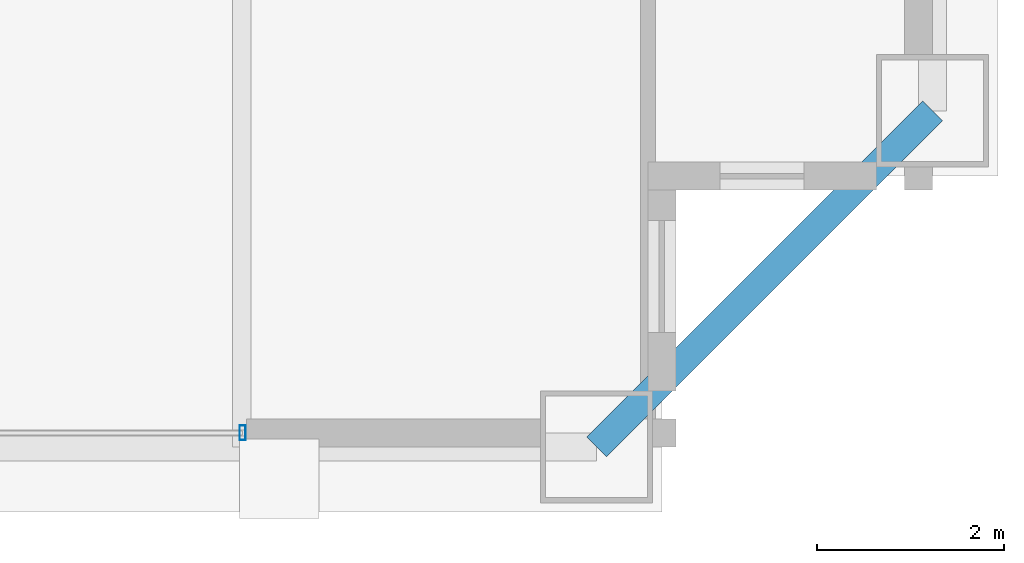
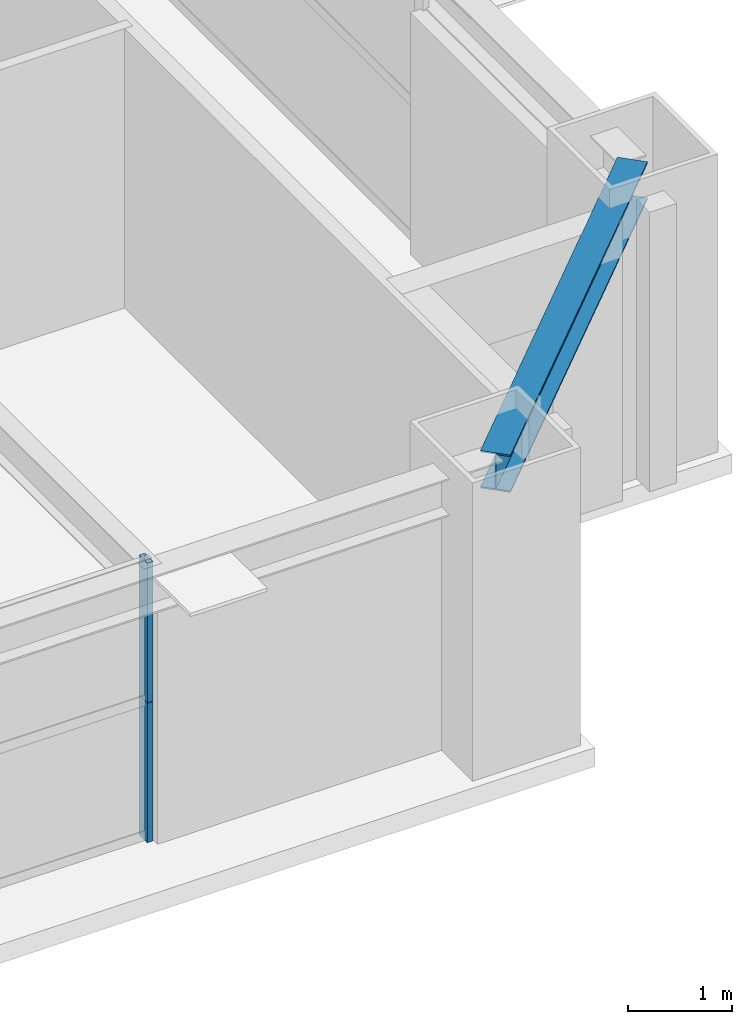
# One storey, part 15 of 36: 2 members, 1 beam, 1 element without a shape of its own.
"""IFC4 building model written with IfcOpenShell, lengths in metres."""

import ifcopenshell
import ifcopenshell.guid

model = None  # the IFC model being written
_history = None  # IfcOwnerHistory: only IFC2X3 demands one
_inside = {}  # id of a spatial element -> (the spatial element, [elements in it])
_under = {}  # id of a project, library or spatial element -> (it, [spatial elements below it])
_declared = {}  # id of a project -> (the project, [libraries it declares])
_typed = {}  # id of a type object -> (the type object, [elements of that type])
_made_of = {}  # id of a material, layer set ... -> (it, [elements and type objects made of it])


def new_model(schema):
    """Start an empty IFC model of exactly this schema.

    Asked for "IFC4X3", IfcOpenShell would pick the latest addendum, in which some entities
    have other attributes; the version numbers below select the first issue.
    IFC2X3 requires an IfcOwnerHistory on every rooted entity: one is made here for all.
    """
    global model, _history
    if schema == "IFC4X3":
        model = ifcopenshell.file(schema_version=(4, 3, 0, 0))
    else:
        model = ifcopenshell.file(schema=schema)
    _inside.clear()
    _under.clear()
    _declared.clear()
    _typed.clear()
    _made_of.clear()
    _history = None
    if model.schema == "IFC2X3":
        org = make("IfcOrganization", Name="unknown")
        user = make(
            "IfcPersonAndOrganization",
            ThePerson=make("IfcPerson", FamilyName="unknown"),
            TheOrganization=org,
        )
        app = make(
            "IfcApplication",
            ApplicationDeveloper=org,
            Version="unknown",
            ApplicationFullName="unknown",
            ApplicationIdentifier="unknown",
        )
        _history = make(
            "IfcOwnerHistory",
            OwningUser=user,
            OwningApplication=app,
            ChangeAction="ADDED",
            CreationDate=0,
        )
    return model


def make(cls, **values):
    """One entity of the class cls with the attributes given. An attribute that is None is left unset."""
    return model.create_entity(
        cls, **{name: value for name, value in values.items() if value is not None}
    )


def rooted(cls, **values):
    """An entity with a GlobalId (a new one), such as an element, a storey or a relation."""
    return make(cls, GlobalId=ifcopenshell.guid.new(), OwnerHistory=_history, **values)


def si_unit(unit_type, name, prefix=None):
    """IfcSIUnit, for example si_unit("LENGTHUNIT", "METRE", prefix="MILLI")."""
    return make("IfcSIUnit", UnitType=unit_type, Prefix=prefix, Name=name)


def assignment(units):
    """IfcUnitAssignment: the units of a project."""
    return None if units is None else make("IfcUnitAssignment", Units=units)


def point(xyz):
    """IfcCartesianPoint."""
    return None if xyz is None else make("IfcCartesianPoint", Coordinates=xyz)


def direction(xyz):
    """IfcDirection."""
    return None if xyz is None else make("IfcDirection", DirectionRatios=xyz)


def frame(location, z_axis=None, x_axis=None):
    """IfcAxis2Placement3D, a coordinate frame: its origin and axes. An axis left out is left unset."""
    return make(
        "IfcAxis2Placement3D",
        Location=point(location),
        Axis=direction(z_axis),
        RefDirection=direction(x_axis),
    )


def frame_2d(location, x_axis=None):
    """IfcAxis2Placement2D, a coordinate frame in the plane: its origin and x axis."""
    return make(
        "IfcAxis2Placement2D", Location=point(location), RefDirection=direction(x_axis)
    )


def origin():
    """The frame at (0, 0, 0) with its axes left unset."""
    return frame((0.0, 0.0, 0.0))


def origin_2d():
    """The frame at (0, 0) in the plane with its x axis left unset."""
    return frame_2d((0.0, 0.0))


def place(relative_to, where):
    """IfcLocalPlacement: puts the frame where relative to a parent placement (None: the world)."""
    return make(
        "IfcLocalPlacement", PlacementRelTo=relative_to, RelativePlacement=where
    )


def context(
    kind, dimensions, precision=None, world=None, true_north=None, identifier=None
):
    """IfcGeometricRepresentationContext, for example the 3D "Model" context."""
    return make(
        "IfcGeometricRepresentationContext",
        ContextIdentifier=identifier,
        ContextType=kind,
        CoordinateSpaceDimension=dimensions,
        Precision=precision,
        WorldCoordinateSystem=world,
        TrueNorth=true_north,
    )


def subcontext(parent, identifier, kind, view, scale=None):
    """IfcGeometricRepresentationSubContext, for example "Body" below "Model"."""
    return make(
        "IfcGeometricRepresentationSubContext",
        ContextIdentifier=identifier,
        ContextType=kind,
        ParentContext=parent,
        TargetScale=scale,
        TargetView=view,
    )


def project(units=None, contexts=None):
    """IfcProject with its units and contexts."""
    return rooted(
        "IfcProject",
        Name="project",
        RepresentationContexts=contexts,
        UnitsInContext=assignment(units),
    )


def spatial(cls, under=None, at=None, **own):
    """A site, building, storey or space (cls), placed at a placement, below another one or the project."""
    s = rooted(cls, ObjectPlacement=at, **own)
    if under is not None:
        _under.setdefault(under.id(), (under, []))[1].append(s)
    return s


def profile(cls, at=None, kind="AREA", **sizes):
    """A parametric profile (cls). Its sizes go by their IFC names, for example OverallWidth=200.0."""
    return make(cls, ProfileType=kind, Position=at, **sizes)


def hollow_rectangle(**sizes):
    """IfcRectangleHollowProfileDef."""
    return profile("IfcRectangleHollowProfileDef", **sizes)


def i_section(**sizes):
    """IfcIShapeProfileDef."""
    return profile("IfcIShapeProfileDef", **sizes)


def extrude(swept, where, along, depth):
    """IfcExtrudedAreaSolid: the profile swept, set in the frame where, extruded along a direction by depth."""
    return make(
        "IfcExtrudedAreaSolid",
        SweptArea=swept,
        Position=where,
        ExtrudedDirection=direction(along),
        Depth=depth,
    )


def shape(context_of_items, identifier, shape_type, items):
    """IfcShapeRepresentation: the items that make up one representation, for example the "Body"."""
    return make(
        "IfcShapeRepresentation",
        ContextOfItems=context_of_items,
        RepresentationIdentifier=identifier,
        RepresentationType=shape_type,
        Items=items,
    )


def source(mapping_origin, context_of_items, identifier, shape_type, items):
    """IfcRepresentationMap: a shape defined once, which mapped items show again and again."""
    return make(
        "IfcRepresentationMap",
        MappingOrigin=mapping_origin,
        MappedRepresentation=shape(context_of_items, identifier, shape_type, items),
    )


def transform(
    local_origin,
    x_axis=None,
    y_axis=None,
    z_axis=None,
    scale=None,
    scale2=None,
    scale3=None,
    uniform=True,
):
    """IfcCartesianTransformationOperator3D, or its non-uniform kind. x_axis, y_axis, z_axis: its Axis1, 2, 3."""
    if uniform:
        return make(
            "IfcCartesianTransformationOperator3D",
            Axis1=direction(x_axis),
            Axis2=direction(y_axis),
            LocalOrigin=point(local_origin),
            Scale=scale,
            Axis3=direction(z_axis),
        )
    return make(
        "IfcCartesianTransformationOperator3DnonUniform",
        Axis1=direction(x_axis),
        Axis2=direction(y_axis),
        LocalOrigin=point(local_origin),
        Scale=scale,
        Axis3=direction(z_axis),
        Scale2=scale2,
        Scale3=scale3,
    )


def mapped(mapping_source, mapping_target):
    """IfcMappedItem: shows the shape of a source again, moved by a transform."""
    return make(
        "IfcMappedItem", MappingSource=mapping_source, MappingTarget=mapping_target
    )


def material(Name=None, Category=None):
    """IfcMaterial."""
    return make("IfcMaterial", Name=Name, Category=Category)


def layer(
    of_material, thickness, ventilated=None, Name=None, Category=None, Priority=None
):
    """IfcMaterialLayer: one layer of a wall or slab, of a material (None: an air gap)."""
    return make(
        "IfcMaterialLayer",
        Material=of_material,
        LayerThickness=thickness,
        IsVentilated=ventilated,
        Name=Name,
        Category=Category,
        Priority=Priority,
    )


def layer_set(layers, Name=None):
    """IfcMaterialLayerSet."""
    return make("IfcMaterialLayerSet", MaterialLayers=layers, LayerSetName=Name)


def material_profile(
    of_material, cross_section, Name=None, Category=None, Priority=None
):
    """IfcMaterialProfile: a cross section and its material."""
    return make(
        "IfcMaterialProfile",
        Name=Name,
        Material=of_material,
        Profile=cross_section,
        Priority=Priority,
        Category=Category,
    )


def profile_set(profiles, Name=None, composite=None):
    """IfcMaterialProfileSet."""
    return make(
        "IfcMaterialProfileSet",
        Name=Name,
        MaterialProfiles=profiles,
        CompositeProfile=composite,
    )


def made_of(thing, what):
    """Note that an element or type object is made of a material, layer set ...; save() writes the relation."""
    if what is not None:
        _made_of.setdefault(what.id(), (what, []))[1].append(thing)
    return thing


def type_object(cls, material=None, **own):
    """A type object (cls), such as IfcWallType, which elements share."""
    return made_of(rooted(cls, **own), material)


def element(
    cls,
    number,
    at=None,
    inside=None,
    cuts=None,
    type_object=None,
    material=None,
    context=None,
    identifier="Body",
    shape_type=None,
    held_by="IfcProductDefinitionShape",
    body=None,
    shapes=None,
    **own,
):
    """One element of the class cls, such as IfcWall. Its Tag is "e" and its number.

    at: its placement. inside: the storey or other place that contains it. cuts: it is an
    opening in that element (IfcRelVoidsElement). A single representation is given by context,
    identifier, shape_type and body (its items); several are given by shapes. held_by: the class
    of the entity that holds the representations. save() writes the other relations.
    """
    e = rooted(cls, Tag="e%d" % number, ObjectPlacement=at, **own)
    if body is not None:
        shapes = [shape(context, identifier, shape_type, body)]
    if shapes is not None:
        e.Representation = make(held_by, Representations=shapes)
    if inside is not None:
        _inside.setdefault(inside.id(), (inside, []))[1].append(e)
    if cuts is not None:
        rooted(
            "IfcRelVoidsElement", RelatingBuildingElement=cuts, RelatedOpeningElement=e
        )
    if type_object is not None:
        _typed.setdefault(type_object.id(), (type_object, []))[1].append(e)
    return made_of(e, material)


def aggregate(whole, parts):
    """IfcRelAggregates: a whole, such as a stair, and the parts it consists of."""
    return rooted("IfcRelAggregates", RelatingObject=whole, RelatedObjects=parts)


def save(model, path):
    """Write the relations noted so far, then the file.

    IfcRelAggregates (storeys below a building ...), IfcRelContainedInSpatialStructure (elements
    in a storey), IfcRelDefinesByType, IfcRelAssociatesMaterial and IfcRelDeclares: one each for
    every whole, place, type object, material and project.
    """
    for whole, parts in _under.values():
        aggregate(whole, parts)
    for where, things in _inside.values():
        rooted(
            "IfcRelContainedInSpatialStructure",
            RelatedElements=things,
            RelatingStructure=where,
        )
    for kind, things in _typed.values():
        rooted("IfcRelDefinesByType", RelatedObjects=things, RelatingType=kind)
    for what, things in _made_of.values():
        rooted("IfcRelAssociatesMaterial", RelatedObjects=things, RelatingMaterial=what)
    for by, libraries in _declared.values():
        rooted("IfcRelDeclares", RelatingContext=by, RelatedDefinitions=libraries)
    model.write(path)


model = new_model("IFC4")

# Units and contexts
model_context = context("Model", 3, precision=1e-05, world=origin(), true_north=direction((0.0, 1.0)))
body_context = subcontext(model_context, "Body", "Model", "MODEL_VIEW")
ifc_project = project(units=[si_unit("LENGTHUNIT", "METRE"), si_unit("AREAUNIT", "SQUARE_METRE"), si_unit("VOLUMEUNIT", "CUBIC_METRE"), si_unit("PLANEANGLEUNIT", "RADIAN"), si_unit("MASSUNIT", "GRAM", prefix="KILO"), si_unit("THERMODYNAMICTEMPERATUREUNIT", "KELVIN"), si_unit("POWERUNIT", "WATT")], contexts=[model_context])

# Site, building, storey
site_placement = place(None, origin())
site = spatial("IfcSite", under=ifc_project, at=site_placement, CompositionType="ELEMENT")
building_placement = place(site_placement, origin())
building = spatial("IfcBuilding", under=site, at=building_placement, Name="Yuzanri Waterfront Tower", CompositionType="ELEMENT")
storey_placement = place(building_placement, frame((0.0, 0.0, 238.10009765625)))
storey = spatial("IfcBuildingStorey", under=building, at=storey_placement, Name="L63", CompositionType="ELEMENT", Elevation=238.10009765625)

# Beam
ifc_material_1 = material(Name="Steel Q355B", Category="steel")
ifc_material_profile_1 = material_profile(ifc_material_1, i_section(OverallWidth=0.300048828125, OverallDepth=0.43994140625, WebThickness=0.010986328125, FlangeThickness=0.01806640625, at=origin_2d()), Name="HM 440x300x11x18")
ifc_profile_set_1 = profile_set([ifc_material_profile_1], Name="Steel Q355B")
beam_type = type_object("IfcBeamType", Name="Perimeter Spandrel Q355B HM 440x300", PredefinedType="SPANDREL", material=ifc_profile_set_1)
shared_shape_1 = source(origin(), body_context, "Body", "SweptSolid", [
    extrude(i_section(OverallWidth=0.300048828125, OverallDepth=0.43994140625, WebThickness=0.010986328125, FlangeThickness=0.01806640625, at=origin_2d()), origin(), (0.0, 0.0, 1.0), 5.09130859375),
])
beam_placement = place(storey_placement, frame((54.0, 5.199951171875, 3.059814453125), z_axis=(0.707106781187, 0.707106781187, 0.0), x_axis=(-0.707106781187, 0.707106781187, 0.0)))
element("IfcBeam", 1, at=beam_placement, inside=storey, type_object=beam_type, Name="L63 Perimeter Spandrel S3-E1", PredefinedType="SPANDREL", context=body_context, shape_type="MappedRepresentation", body=[
    mapped(shared_shape_1, transform((0.0, 0.0, 0.0), scale=1.0)),
])

# Curtain wall, members
ifc_material_2 = material(Name="Anodized Architectural Bronze", Category="metal")
ifc_layer = layer(ifc_material_2, 0.159912109375)
ifc_layer_set = layer_set([ifc_layer], Name="Anodized Architectural Bronze")
curtain_wall_type = type_object("IfcCurtainWallType", Name="Anodized Bronze Mid-Rise Residential Acoustic Unitized Curtain Wall 7200", PredefinedType="NOTDEFINED", material=ifc_layer_set)
curtain_wall_placement = place(storey_placement, origin())
curtain_wall = element("IfcCurtainWall", 2, at=curtain_wall_placement, inside=storey, type_object=curtain_wall_type, Name="L63 Curtain Wall CW-L63-SR", PredefinedType="NOTDEFINED")
ifc_material_3 = material(Name="Anodized Architectural Bronze", Category="metal")
ifc_material_profile_2 = material_profile(ifc_material_3, hollow_rectangle(XDim=0.06494140625, YDim=0.159912109375, WallThickness=0.00341796875, at=origin_2d()), Name="CWM 65x160")
ifc_profile_set_2 = profile_set([ifc_material_profile_2], Name="Anodized Architectural Bronze")
member_type = type_object("IfcMemberType", Name="Anodized Bronze Upper-Zone Curtain-Wall Mullion 65x160", PredefinedType="MULLION", material=ifc_profile_set_2)
shared_shape_2 = source(origin(), body_context, "Body", "SweptSolid", [
    extrude(hollow_rectangle(XDim=0.06494140625, YDim=0.159912109375, WallThickness=0.00341796875, at=origin_2d()), origin(), (0.0, 0.0, 1.0), 1.637939453125),
])
member_1_placement = place(storey_placement, frame((50.2099609375, 5.35009765625, 0.0), z_axis=(0.0, 0.0, 1.0), x_axis=(1.0, 0.0, 0.0)))
member_1 = element("IfcMember", 3, at=member_1_placement, type_object=member_type, Name="CW-L63-SR Lower Mullion 02", PredefinedType="MULLION", context=body_context, shape_type="MappedRepresentation", body=[
    mapped(shared_shape_2, transform((0.0, 0.0, 0.0), scale=1.0)),
])
member_2_placement = place(storey_placement, frame((50.2099609375, 5.35009765625, 1.641845703125), z_axis=(0.0, 0.0, 1.0), x_axis=(1.0, 0.0, 0.0)))
member_2 = element("IfcMember", 4, at=member_2_placement, type_object=member_type, Name="CW-L63-SR Upper Mullion 02", PredefinedType="MULLION", context=body_context, shape_type="MappedRepresentation", body=[
    mapped(shared_shape_2, transform((0.0, 0.0, 0.0), scale=1.0)),
])
aggregate(curtain_wall, [member_1, member_2])

save(model, "model.ifc")
